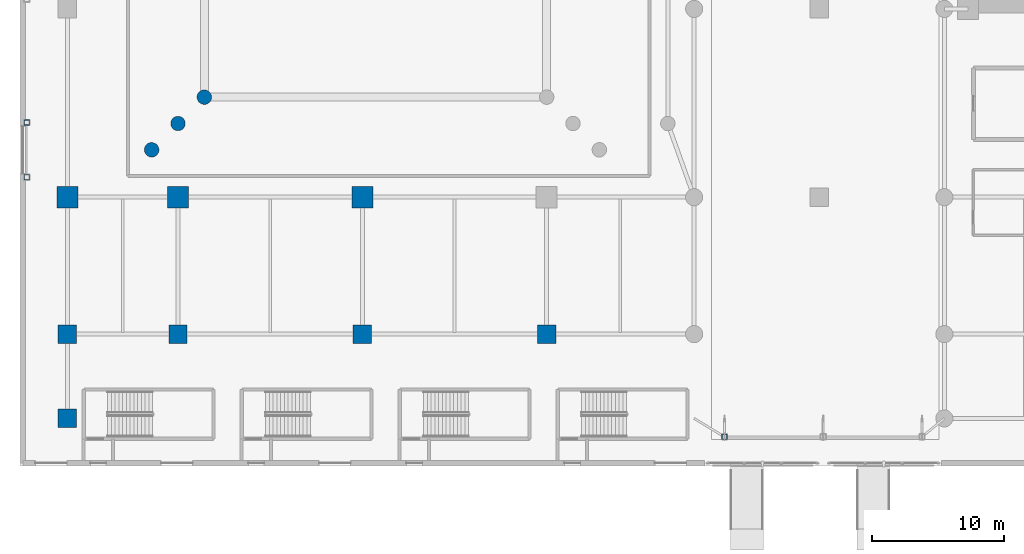
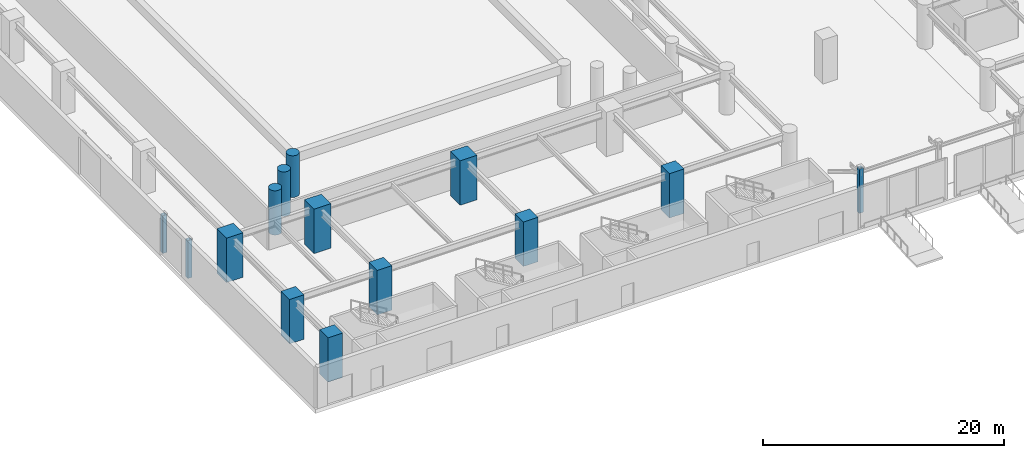
# One storey, part 1 of 42: 14 columns.
"""IFC4 building model written with IfcOpenShell, lengths in metres."""

from ifc_helpers import new_model, si_unit, direction, frame, origin, origin_2d, place, context, subcontext, project, spatial, rectangle, hollow_rectangle, circle, extrude, material, material_profile, profile_set, type_object, element, save


model = new_model("IFC4")

# Units and contexts
model_context = context("Model", 3, precision=1e-05, world=origin(), true_north=direction((0.0, 1.0)))
body_context = subcontext(model_context, "Body", "Model", "MODEL_VIEW")
ifc_project = project(units=[si_unit("LENGTHUNIT", "METRE"), si_unit("AREAUNIT", "SQUARE_METRE"), si_unit("VOLUMEUNIT", "CUBIC_METRE"), si_unit("PLANEANGLEUNIT", "RADIAN"), si_unit("MASSUNIT", "GRAM", prefix="KILO")], contexts=[model_context])

# Site, building, storey
site_placement = place(None, origin())
site = spatial("IfcSite", under=ifc_project, at=site_placement, CompositionType="ELEMENT")
building_placement = place(site_placement, origin())
building = spatial("IfcBuilding", under=site, at=building_placement, Name="Narakoshi Arena Tower", CompositionType="ELEMENT")
storey_placement = place(building_placement, origin())
storey = spatial("IfcBuildingStorey", under=building, at=storey_placement, Name="L00", CompositionType="ELEMENT", Elevation=0.0)

# Columns
ifc_material_1 = material(Name="Concrete C50/60", Category="concrete")
ifc_material_profile_1 = material_profile(ifc_material_1, circle(Radius=0.550048828125, at=origin_2d()), Name="RCC1100")
ifc_profile_set_1 = profile_set([ifc_material_profile_1], Name="Concrete C50/60")
column_type_1 = type_object("IfcColumnType", Name="COL-CIR1100", PredefinedType="PILASTER", material=ifc_profile_set_1)
column_1_placement = place(storey_placement, frame((14.0, 28.0, 0.0), z_axis=(0.0, 0.0, 1.0), x_axis=(1.0, 0.0, 0.0)))
element("IfcColumn", 1, at=column_1_placement, inside=storey, type_object=column_type_1, Name="L00 Arena Bowl Raker Column BWL1A", PredefinedType="PILASTER", context=body_context, shape_type="SweptSolid", body=[
    extrude(circle(Radius=0.550048828125, at=origin_2d()), origin(), (0.0, 0.0, 1.0), 4.219970703125),
])
for number, where, z_axis, x_axis, name in (
    (2, (12.0, 26.0, 0.0), (0.0, 0.0, 1.0), (1.0, 0.0, 0.0), "L00 Arena Bowl Raker Column BWL2A"),
    (3, (10.0, 24.0, 0.0), (0.0, 0.0, 1.0), (1.0, 0.0, 0.0), "L00 Arena Bowl Raker Column BWL3A"),
):
    element("IfcColumn", number, at=place(storey_placement, frame(where, z_axis=z_axis, x_axis=x_axis)), inside=storey, type_object=column_type_1, Name=name, PredefinedType="PILASTER", context=body_context, shape_type="SweptSolid", body=[
        extrude(circle(Radius=0.550048828125, at=origin_2d()), origin(), (0.0, 0.0, 1.0), 4.5),
    ])
ifc_material_2 = material(Name="Concrete C60/75", Category="concrete")
ifc_material_profile_2 = material_profile(ifc_material_2, rectangle(XDim=1.39990234375, YDim=1.39990234375, at=origin_2d()), Name="RC1400x1400")
ifc_profile_set_2 = profile_set([ifc_material_profile_2], Name="Concrete C60/75")
column_type_2 = type_object("IfcColumnType", Name="COL-RC1400", PredefinedType="COLUMN", material=ifc_profile_set_2)
for number, where, z_axis, x_axis, name in (
    (4, (3.60009765625, 3.60009765625, 0.0), (0.0, 0.0, 1.0), (1.0, 0.0, 0.0), "L00 Podium Column PC01"),
    (5, (3.60009765625, 10.0, 0.0), (0.0, 0.0, 1.0), (1.0, 0.0, 0.0), "L00 Podium Column PC02"),
    (6, (12.0, 10.0, 0.0), (0.0, 0.0, 1.0), (1.0, 0.0, 0.0), "L00 Podium Column PC10"),
    (7, (26.0, 10.0, 0.0), (0.0, 0.0, 1.0), (1.0, 0.0, 0.0), "L00 Podium Column PC14"),
    (8, (40.0, 10.0, 0.0), (0.0, 0.0, 1.0), (1.0, 0.0, 0.0), "L00 Podium Column PC18"),
):
    element("IfcColumn", number, at=place(storey_placement, frame(where, z_axis=z_axis, x_axis=x_axis)), inside=storey, type_object=column_type_2, Name=name, PredefinedType="COLUMN", context=body_context, shape_type="SweptSolid", body=[
        extrude(rectangle(XDim=1.39990234375, YDim=1.39990234375, at=origin_2d()), origin(), (0.0, 0.0, 1.0), 4.5),
    ])
ifc_material_profile_3 = material_profile(ifc_material_2, rectangle(XDim=1.60009765625, YDim=1.60009765625, at=origin_2d()), Name="RC1600x1600")
ifc_profile_set_3 = profile_set([ifc_material_profile_3], Name="Concrete C60/75")
column_type_3 = type_object("IfcColumnType", Name="COL-RC1600", PredefinedType="COLUMN", material=ifc_profile_set_3)
for number, where, z_axis, x_axis, name in (
    (9, (3.60009765625, 20.39990234375, 0.0), (0.0, 0.0, 1.0), (1.0, 0.0, 0.0), "L00 Podium Column PC03"),
    (10, (12.0, 20.39990234375, 0.0), (0.0, 0.0, 1.0), (1.0, 0.0, 0.0), "L00 Podium Column PC11"),
    (11, (26.0, 20.39990234375, 0.0), (0.0, 0.0, 1.0), (1.0, 0.0, 0.0), "L00 Podium Column PC15"),
):
    element("IfcColumn", number, at=place(storey_placement, frame(where, z_axis=z_axis, x_axis=x_axis)), inside=storey, type_object=column_type_3, Name=name, PredefinedType="COLUMN", context=body_context, shape_type="SweptSolid", body=[
        extrude(rectangle(XDim=1.60009765625, YDim=1.60009765625, at=origin_2d()), origin(), (0.0, 0.0, 1.0), 4.5),
    ])
ifc_material_3 = material(Name="Structural steel S355J2", Category="steel")
ifc_material_profile_4 = material_profile(ifc_material_3, hollow_rectangle(XDim=0.39990234375, YDim=0.39990234375, WallThickness=0.02001953125, OuterFilletRadius=0.0400390625, at=origin_2d()), Name="SHS400x400x20")
ifc_profile_set_4 = profile_set([ifc_material_profile_4], Name="Structural steel S355J2")
column_type_4 = type_object("IfcColumnType", Name="COL-SHS400", PredefinedType="COLUMN", material=ifc_profile_set_4)
column_2_placement = place(storey_placement, frame((53.5, 2.199951171875, 0.0), z_axis=(0.0, 0.0, 1.0), x_axis=(1.0, 0.0, 0.0)))
element("IfcColumn", 12, at=column_2_placement, inside=storey, type_object=column_type_4, Name="L00 Concourse Canopy Column CAN01", PredefinedType="COLUMN", context=body_context, shape_type="SweptSolid", body=[
    extrude(hollow_rectangle(XDim=0.39990234375, YDim=0.39990234375, WallThickness=0.02001953125, OuterFilletRadius=0.0400390625, at=origin_2d()), origin(), (0.0, 0.0, 1.0), 4.5),
])
for number, where, z_axis, x_axis, name in (
    (13, (0.52001953125, 26.070068359375, 0.0), (0.0, 0.0, 1.0), (1.0, 0.0, 0.0), "L00 Shutter Lintel Jamb Post 05N"),
    (14, (0.52001953125, 21.909912109375, 0.0), (0.0, 0.0, 1.0), (1.0, 0.0, 0.0), "L00 Shutter Lintel Jamb Post 05S"),
):
    element("IfcColumn", number, at=place(storey_placement, frame(where, z_axis=z_axis, x_axis=x_axis)), inside=storey, type_object=column_type_4, Name=name, PredefinedType="COLUMN", context=body_context, shape_type="SweptSolid", body=[
        extrude(hollow_rectangle(XDim=0.39990234375, YDim=0.39990234375, WallThickness=0.02001953125, OuterFilletRadius=0.0400390625, at=origin_2d()), origin(), (0.0, 0.0, 1.0), 3.820068359375),
    ])

save(model, "model.ifc")
